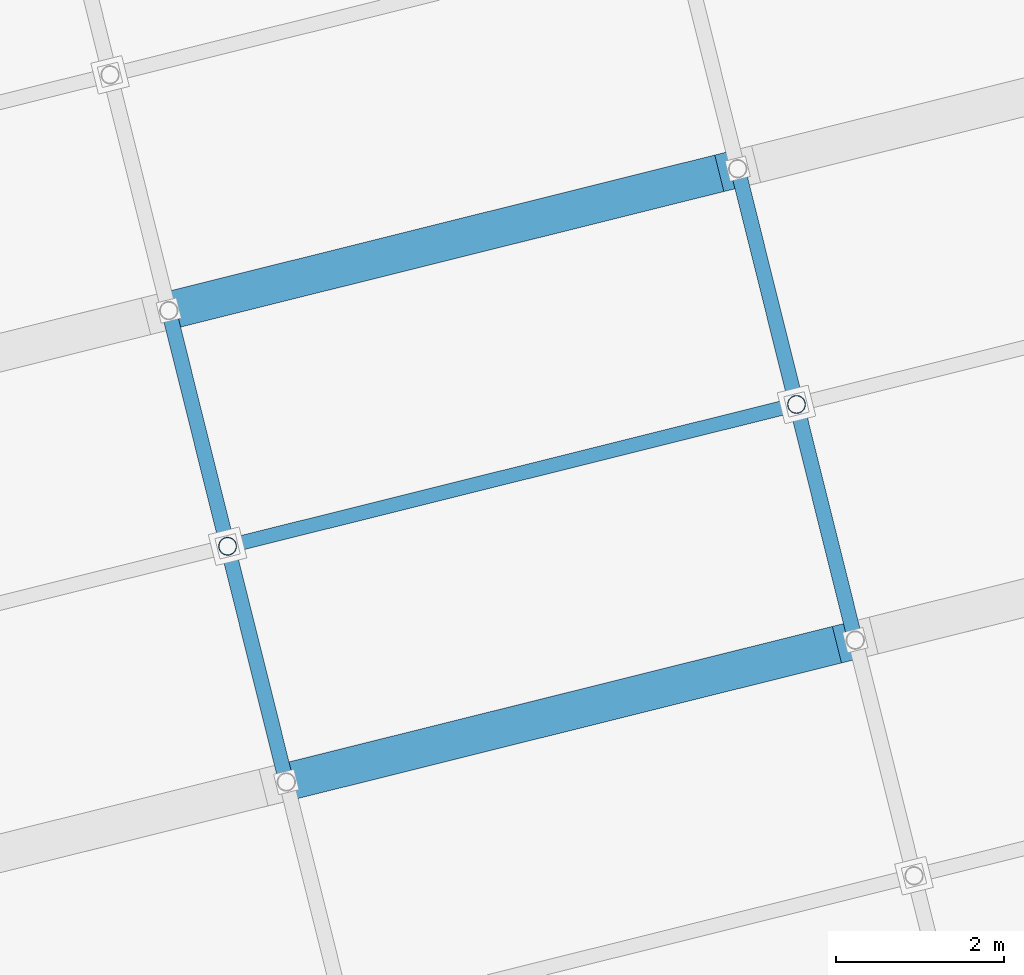
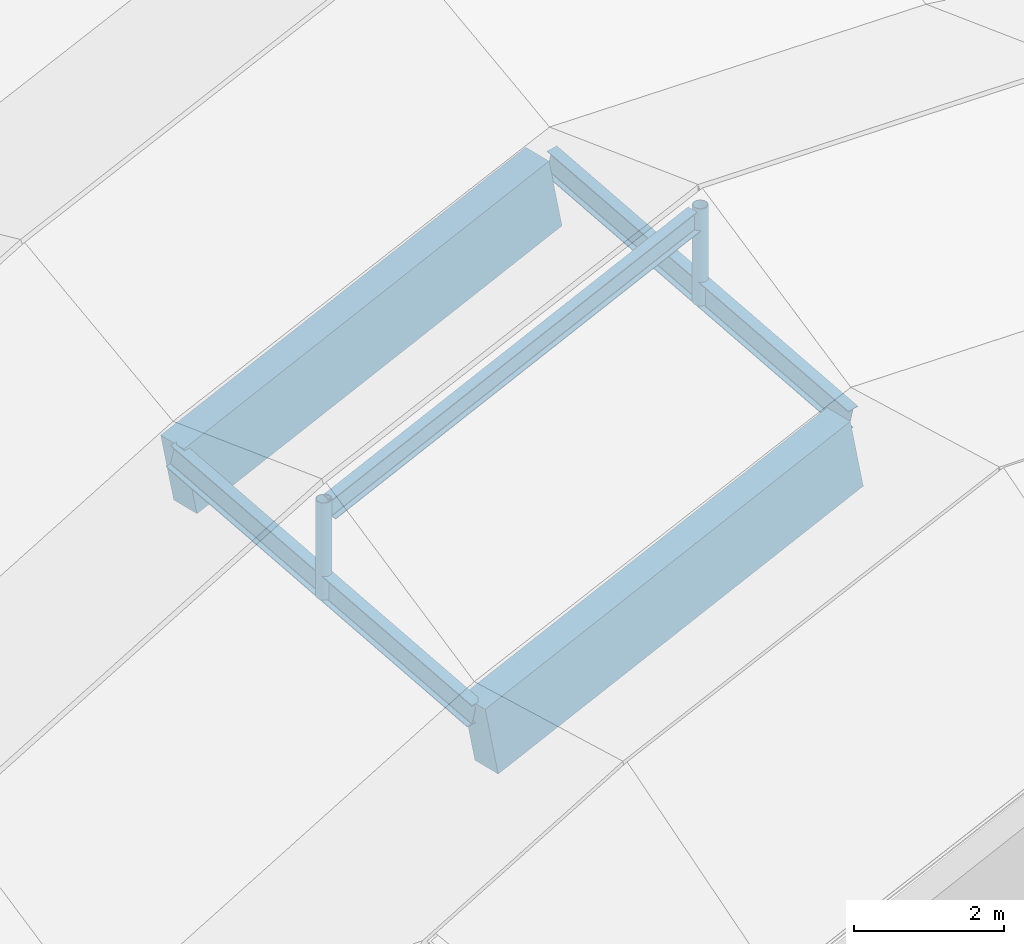
# One storey, part 16 of 65: 5 beams, 2 members.
"""IFC4 building model written with IfcOpenShell, lengths in metres."""

from ifc_helpers import new_model, si_unit, direction, frame, origin, origin_2d, place, context, subcontext, project, spatial, rectangle, hollow_circle, i_section, extrude, material, material_profile, profile_set, type_object, element, save


model = new_model("IFC4")

# Units and contexts
model_context = context("Model", 3, precision=1e-05, world=origin(), true_north=direction((0.0, 1.0)))
body_context = subcontext(model_context, "Body", "Model", "MODEL_VIEW")
ifc_project = project(units=[si_unit("LENGTHUNIT", "METRE"), si_unit("AREAUNIT", "SQUARE_METRE"), si_unit("VOLUMEUNIT", "CUBIC_METRE"), si_unit("PLANEANGLEUNIT", "RADIAN"), si_unit("MASSUNIT", "GRAM", prefix="KILO")], contexts=[model_context])

# Site, building, storey
site_placement = place(None, origin())
site = spatial("IfcSite", under=ifc_project, at=site_placement, CompositionType="ELEMENT")
building_placement = place(site_placement, origin())
building = spatial("IfcBuilding", under=site, at=building_placement, Name="Cinderway Yard Community Centre", CompositionType="ELEMENT")
storey_placement = place(building_placement, frame((0.0, 0.0, 24.300048828125)))
storey = spatial("IfcBuildingStorey", under=building, at=storey_placement, Name="RF", CompositionType="ELEMENT", Elevation=24.300048828125)

# Beams
ifc_material_1 = material(Name="Concrete C40/50", Category="concrete")
ifc_material_profile_1 = material_profile(ifc_material_1, rectangle(XDim=0.449951171875, YDim=1.199951171875, at=origin_2d()), Name="Concrete C40/50")
ifc_profile_set_1 = profile_set([ifc_material_profile_1], Name="Concrete C40/50")
beam_type_1 = type_object("IfcBeamType", Name="STR-BM-RC450X1200", PredefinedType="BEAM", material=ifc_profile_set_1)
beam_1_placement = place(storey_placement, frame((25.300048828125, 32.462890625, -5.656005859375), z_axis=(0.950303016115, 0.236977149046, 0.201905939469), x_axis=(-0.241960342359, 0.970286139613, 0.0)))
element("IfcBeam", 1, at=beam_1_placement, inside=storey, type_object=beam_type_1, Name="Main Hall arch rib segment 02.2", PredefinedType="BEAM", context=body_context, shape_type="SweptSolid", body=[
    extrude(rectangle(XDim=0.449951171875, YDim=1.199951171875, at=origin_2d()), origin(), (0.0, 0.0, 1.0), 6.933349609375),
])
beam_2_placement = place(storey_placement, frame((23.89697265625, 38.091064453125, -4.3271484375), z_axis=(0.950293948478, 0.236966017391, 0.201961674802), x_axis=(-0.241951815503, 0.970288265916, 0.0)))
element("IfcBeam", 2, at=beam_2_placement, inside=storey, type_object=beam_type_1, Name="Main Hall arch rib segment 03.2", PredefinedType="BEAM", context=body_context, shape_type="SweptSolid", body=[
    extrude(rectangle(XDim=0.449951171875, YDim=1.199951171875, at=origin_2d()), origin(), (0.0, 0.0, 1.0), 6.9326171875),
])
ifc_material_2 = material(Name="Steel S355", Category="steel")
ifc_material_profile_2 = material_profile(ifc_material_2, i_section(OverallWidth=0.172119140625, OverallDepth=0.35791015625, WebThickness=0.0078125, FlangeThickness=0.01318359375, FilletRadius=0.010986328125, at=origin_2d()), Name="Steel S355")
ifc_profile_set_2 = profile_set([ifc_material_profile_2], Name="Steel S355")
beam_type_2 = type_object("IfcBeamType", Name="STR-BM-W360X57", PredefinedType="JOIST", material=ifc_profile_set_2)
beam_3_placement = place(storey_placement, frame((24.59912109375, 35.277099609375, -3.39697265625), z_axis=(0.950297293053, 0.236975633151, 0.201934653067), x_axis=(-0.241960257063, 0.970286160884, 0.0)))
element("IfcBeam", 3, at=beam_3_placement, inside=storey, type_object=beam_type_2, Name="Folded-plate ridge beam B2.3", PredefinedType="JOIST", context=body_context, shape_type="SweptSolid", body=[
    extrude(i_section(OverallWidth=0.172119140625, OverallDepth=0.35791015625, WebThickness=0.0078125, FlangeThickness=0.01318359375, FilletRadius=0.010986328125, at=origin_2d()), origin(), (0.0, 0.0, 1.0), 6.932373046875),
])
ifc_material_profile_3 = material_profile(ifc_material_2, i_section(OverallWidth=0.178955078125, OverallDepth=0.409912109375, WebThickness=0.0087890625, FlangeThickness=0.013427734375, FilletRadius=0.011962890625, at=origin_2d()), Name="Steel S355")
ifc_profile_set_3 = profile_set([ifc_material_profile_3], Name="Steel S355")
beam_type_3 = type_object("IfcBeamType", Name="STR-BM-W410X67", PredefinedType="JOIST", material=ifc_profile_set_3)
for number, where, z_axis, x_axis, name in (
    (4, (25.197998046875, 32.43798828125, -5.260986328125), (-0.235792548512, 0.945796037635, 0.223319791465), (-0.97030075642, -0.2419017199, 0.0), "Folded-plate valley beam B2-U07"),
    (5, (31.989990234375, 34.131103515625, -3.861083984375), (-0.235790387883, 0.94578737106, 0.223358773558), (-0.97030075642, -0.2419017199, 0.0), "Folded-plate valley beam B2-U14"),
):
    element("IfcBeam", number, at=place(storey_placement, frame(where, z_axis=z_axis, x_axis=x_axis)), inside=storey, type_object=beam_type_3, Name=name, PredefinedType="JOIST", context=body_context, shape_type="SweptSolid", body=[
        extrude(i_section(OverallWidth=0.178955078125, OverallDepth=0.409912109375, WebThickness=0.0087890625, FlangeThickness=0.013427734375, FilletRadius=0.011962890625, at=origin_2d()), origin(), (0.0, 0.0, 1.0), 5.950439453125),
    ])

# Members
ifc_material_profile_4 = material_profile(ifc_material_2, hollow_circle(Radius=0.109619140625, WallThickness=0.010009765625, at=origin_2d()), Name="Steel S355")
ifc_profile_set_4 = profile_set([ifc_material_profile_4], Name="Steel S355")
member_type = type_object("IfcMemberType", Name="STR-MEM-STRUT-CHS219", PredefinedType="STRUT", material=ifc_profile_set_4)
for number, where, z_axis, x_axis, name in (
    (6, (24.4970703125, 35.251953125, -4.7919921875), (0.0, 0.0, 1.0), (1.0, 0.0, 0.0), "Folded-plate ridge kingpost B2-U07"),
    (7, (31.2890625, 36.945068359375, -3.39208984375), (0.0, 0.0, 1.0), (1.0, 0.0, 0.0), "Folded-plate ridge kingpost B2-U14"),
):
    element("IfcMember", number, at=place(storey_placement, frame(where, z_axis=z_axis, x_axis=x_axis)), inside=storey, type_object=member_type, Name=name, PredefinedType="STRUT", context=body_context, shape_type="SweptSolid", body=[
        extrude(hollow_circle(Radius=0.109619140625, WallThickness=0.010009765625, at=origin_2d()), origin(), (0.0, 0.0, 1.0), 1.583984375),
    ])

save(model, "model.ifc")
